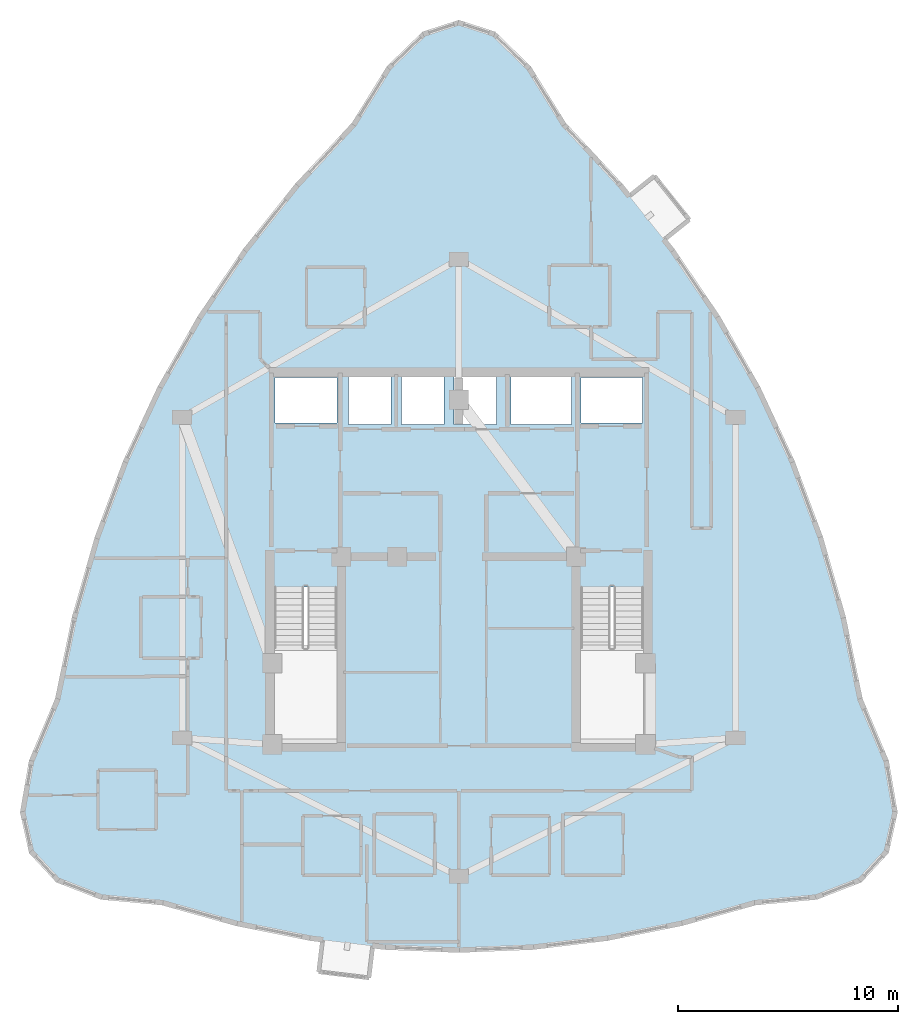
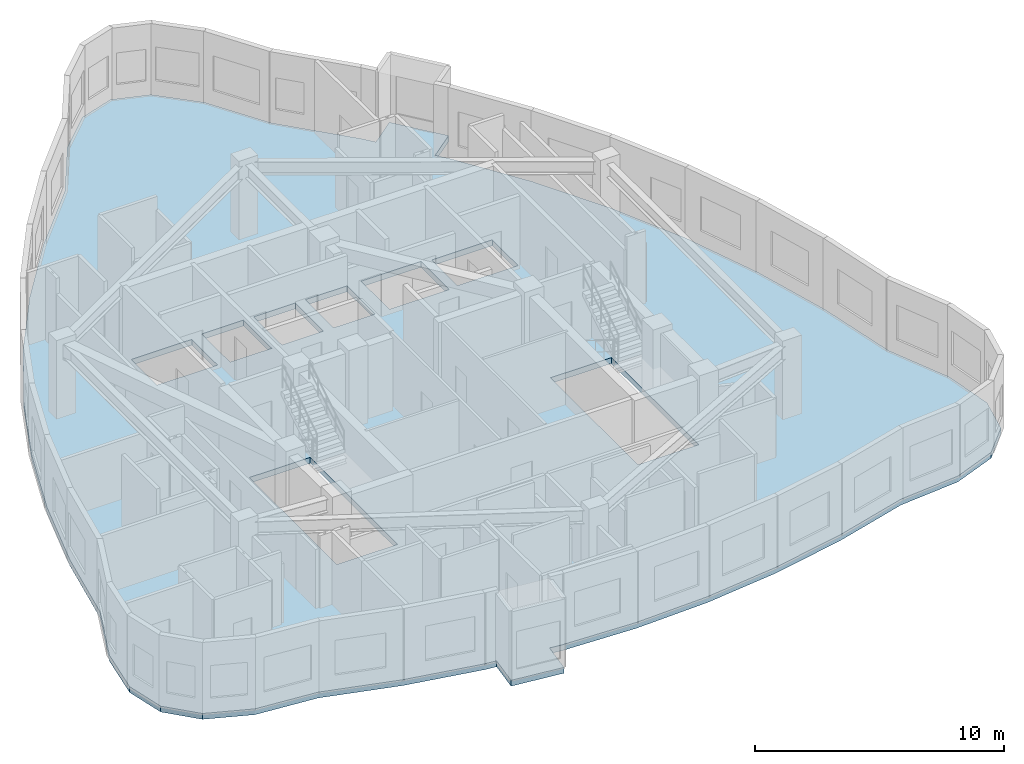
# One storey, part 5 of 13: 1 slab.
"""IFC4 building model written with IfcOpenShell, lengths in metres."""

from ifc_helpers import new_model, si_unit, direction, frame, origin, place, context, subcontext, project, spatial, polyline, outline, extrude, material, layer, layer_set, type_object, element, save


model = new_model("IFC4")

# Units and contexts
model_context = context("Model", 3, precision=1e-05, world=origin(), true_north=direction((0.0, 1.0)))
body_context = subcontext(model_context, "Body", "Model", "MODEL_VIEW")
ifc_project = project(units=[si_unit("LENGTHUNIT", "METRE"), si_unit("AREAUNIT", "SQUARE_METRE"), si_unit("VOLUMEUNIT", "CUBIC_METRE"), si_unit("PLANEANGLEUNIT", "RADIAN"), si_unit("MASSUNIT", "GRAM", prefix="KILO")], contexts=[model_context])

# Site, building, storey
site_placement = place(None, origin())
site = spatial("IfcSite", under=ifc_project, at=site_placement, CompositionType="ELEMENT")
building_placement = place(site_placement, origin())
building = spatial("IfcBuilding", under=site, at=building_placement, Name="Miruveldt Soraemaru", CompositionType="ELEMENT")
storey_placement = place(building_placement, frame((0.0, 0.0, 259.699951171875)))
storey = spatial("IfcBuildingStorey", under=building, at=storey_placement, Name="L71", CompositionType="ELEMENT", Elevation=259.699951171875)

# Slab
ifc_material = material(Name="Concrete C40/50 (40 MPa)", Category="concrete")
ifc_layer = layer(ifc_material, 0.284912109375, Name="Concrete C40/50 (40 MPa)", Category="concrete")
ifc_layer_set = layer_set([ifc_layer], Name="Concrete C40/50 (40 MPa)")
slab_type = type_object("IfcSlabType", Name="SLAB-RES4-285", PredefinedType="FLOOR", material=ifc_layer_set)
slab_placement = place(storey_placement, frame((0.0, 0.0, -0.284912109375)))
element("IfcSlab", 1, at=slab_placement, inside=storey, type_object=slab_type, Name="L71 Structural Floor Slab", PredefinedType="FLOOR", context=body_context, shape_type="SweptSolid", body=[
    extrude(outline(polyline([(39.90869140625, 24.87451171875), (37.6142578125, 25.14990234375), (37.79052734375, 26.619384765625), (37.25048828125, 26.68408203125), (33.87548828125, 27.359130859375), (30.500732421875, 28.303955078125), (27.718994140625, 28.56103515625), (25.732177734375, 29.331787109375), (24.5400390625, 30.61669921875), (24.142578125, 32.415283203125), (24.5400390625, 34.727783203125), (25.732177734375, 37.554443359375), (26.503173828125, 41.30029296875), (27.535888671875, 44.9111328125), (28.830322265625, 48.386962890625), (30.386962890625, 51.727783203125), (32.205078125, 54.933837890625), (34.285400390625, 58.004638671875), (36.62744140625, 60.940673828125), (39.2314453125, 63.74169921875), (40.821044921875, 66.31103515625), (42.410400390625, 67.852783203125), (44.0, 68.36669921875), (45.589599609375, 67.852783203125), (47.178955078125, 66.31103515625), (48.7685546875, 63.74169921875), (51.37255859375, 60.940673828125), (52.54345703125, 59.47265625), (51.747314453125, 60.470947265625), (52.904296875, 61.393798828125), (54.496826171875, 59.397216796875), (53.33984375, 58.474365234375), (53.714599609375, 58.004638671875), (55.794921875, 54.933837890625), (57.613037109375, 51.727783203125), (59.169677734375, 48.386962890625), (60.464111328125, 44.9111328125), (61.496826171875, 41.30029296875), (62.267822265625, 37.554443359375), (63.4599609375, 34.727783203125), (63.857421875, 32.415283203125), (63.4599609375, 30.61669921875), (62.267822265625, 29.331787109375), (60.281005859375, 28.56103515625), (57.499267578125, 28.303955078125), (54.12451171875, 27.359130859375), (50.74951171875, 26.68408203125), (47.374755859375, 26.279052734375), (44.0, 26.14404296875), (40.625244140625, 26.279052734375), (38.937744140625, 26.481689453125), (40.085205078125, 26.343994140625), (39.90869140625, 24.87451171875)]), holes=[polyline([(35.614990234375, 35.6650390625), (38.43505859375, 35.6650390625), (38.43505859375, 42.68505859375), (35.614990234375, 42.68505859375), (35.614990234375, 35.6650390625)]), polyline([(49.56494140625, 35.6650390625), (52.385009765625, 35.6650390625), (52.385009765625, 42.68505859375), (49.56494140625, 42.68505859375), (49.56494140625, 35.6650390625)]), polyline([(38.445068359375, 50.135009765625), (38.445068359375, 52.205078125), (35.635009765625, 52.205078125), (35.635009765625, 50.135009765625), (38.445068359375, 50.135009765625)]), polyline([(52.364990234375, 50.135009765625), (52.364990234375, 52.205078125), (49.554931640625, 52.205078125), (49.554931640625, 50.135009765625), (52.364990234375, 50.135009765625)]), polyline([(40.9150390625, 50.06494140625), (40.9150390625, 52.3349609375), (38.985107421875, 52.3349609375), (38.985107421875, 50.06494140625), (40.9150390625, 50.06494140625)]), polyline([(43.31494140625, 50.06494140625), (43.31494140625, 52.3349609375), (41.385009765625, 52.3349609375), (41.385009765625, 50.06494140625), (43.31494140625, 50.06494140625)]), polyline([(45.715087890625, 50.06494140625), (45.715087890625, 52.3349609375), (43.784912109375, 52.3349609375), (43.784912109375, 50.06494140625), (45.715087890625, 50.06494140625)]), polyline([(49.135009765625, 50.06494140625), (49.135009765625, 52.3349609375), (46.364990234375, 52.3349609375), (46.364990234375, 50.06494140625), (49.135009765625, 50.06494140625)])]), origin(), (0.0, 0.0, 1.0), 0.284912109375),
])

save(model, "model.ifc")
